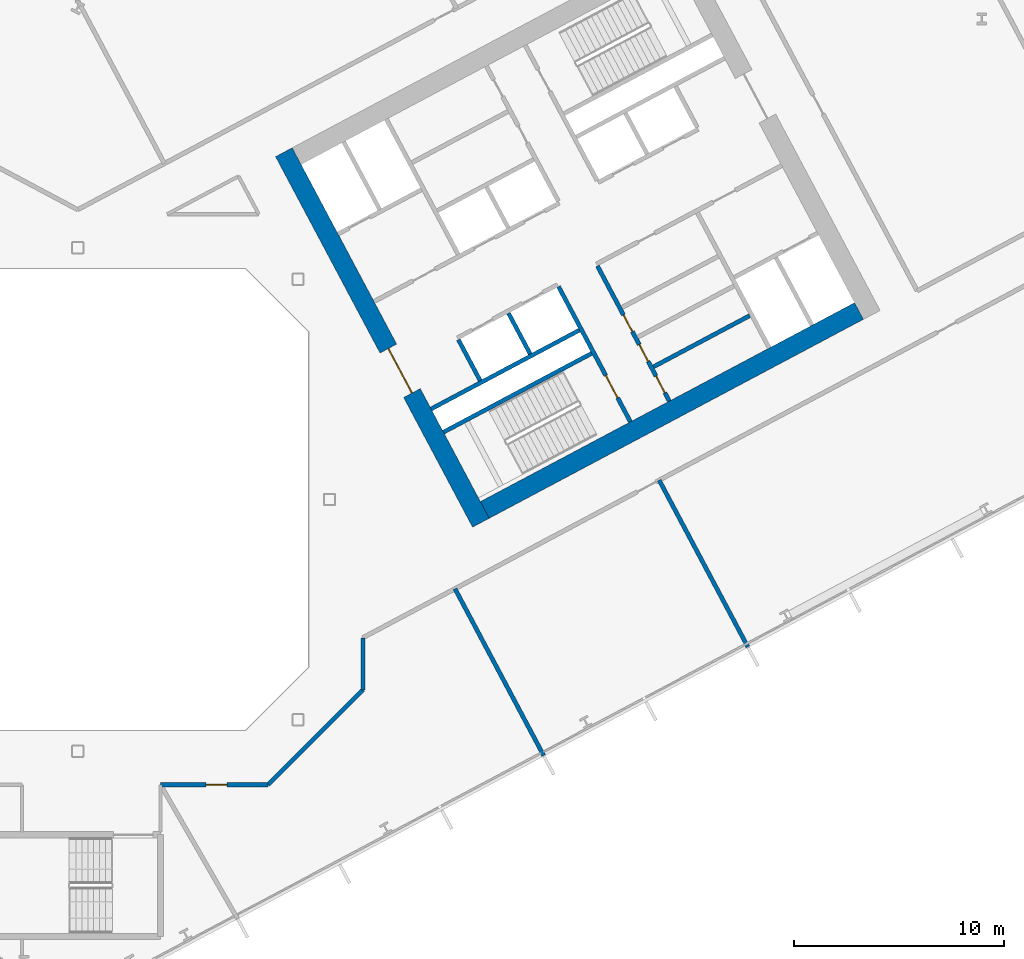
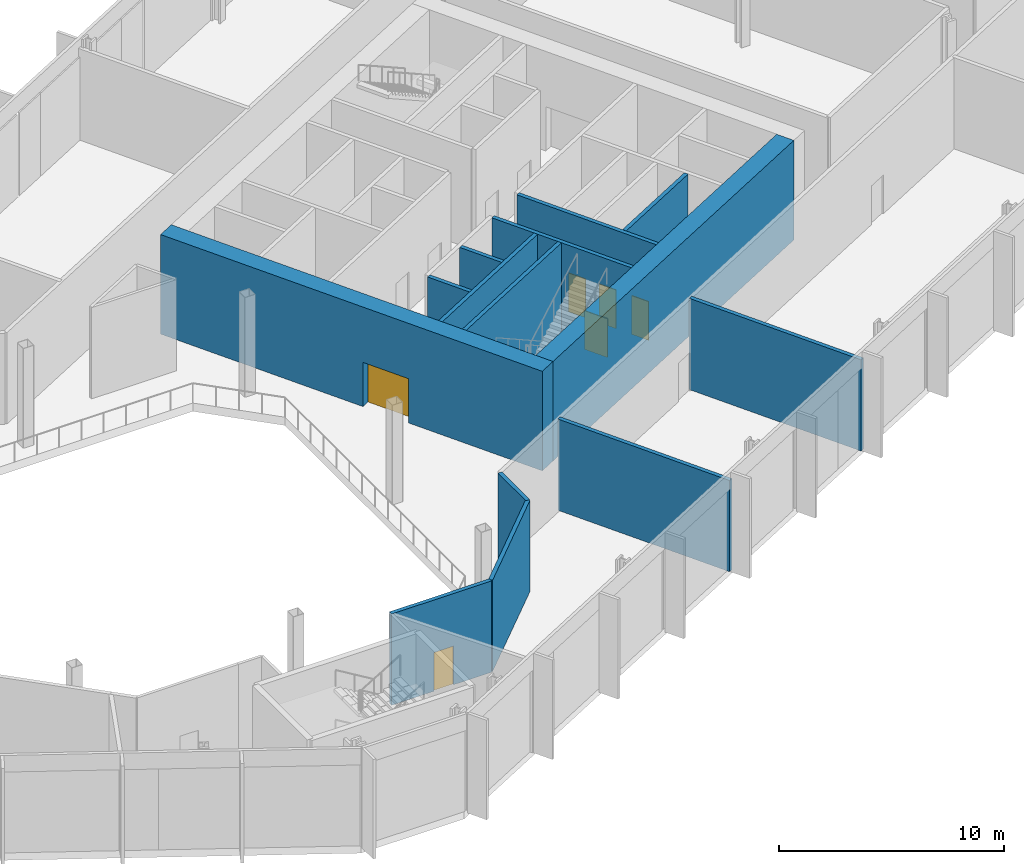
# One storey, part 15 of 31: 14 walls, 6 doors, 6 openings.
"""IFC4 building model written with IfcOpenShell, lengths in metres."""

from ifc_helpers import new_model, si_unit, direction, frame, frame_2d, origin, place, context, subcontext, project, spatial, rectangle, extrude, material, layer, layer_set, type_object, element, fill, save


model = new_model("IFC4")

# Units and contexts
model_context = context("Model", 3, precision=1e-05, world=origin(), true_north=direction((0.0, 1.0)))
body_context = subcontext(model_context, "Body", "Model", "MODEL_VIEW")
ifc_project = project(units=[si_unit("LENGTHUNIT", "METRE"), si_unit("AREAUNIT", "SQUARE_METRE"), si_unit("VOLUMEUNIT", "CUBIC_METRE"), si_unit("PLANEANGLEUNIT", "RADIAN"), si_unit("MASSUNIT", "GRAM", prefix="KILO")], contexts=[model_context])

# Site, building, storey
site_placement = place(None, origin())
site = spatial("IfcSite", under=ifc_project, at=site_placement, CompositionType="ELEMENT")
building_placement = place(site_placement, origin())
building = spatial("IfcBuilding", under=site, at=building_placement, Name="Cormorant Relay Tower", CompositionType="ELEMENT")
storey_placement = place(building_placement, frame((0.0, 0.0, 33.800048828125)))
storey = spatial("IfcBuildingStorey", under=building, at=storey_placement, Name="L06", CompositionType="ELEMENT", Elevation=33.800048828125)

# Walls
ifc_material_1 = material(Name="Concrete 40 MPa", Category="concrete")
ifc_layer_1 = layer(ifc_material_1, 0.199951171875)
ifc_layer_set_1 = layer_set([ifc_layer_1], Name="Core internal wall 200")
wall_type_1 = type_object("IfcWallType", Name="Core internal wall 200", PredefinedType="SOLIDWALL", material=ifc_layer_set_1)
wall_1_placement = place(storey_placement, frame((21.567626953125, 6.9375, 0.0), z_axis=(0.0, 0.0, 1.0), x_axis=(-0.469533832133, 0.882914480843, 0.0)))
element("IfcWall", 1, at=wall_1_placement, inside=storey, type_object=wall_type_1, Name="L06 core B shaft and room wall", PredefinedType="SOLIDWALL", context=body_context, shape_type="SweptSolid", body=[
    extrude(rectangle(XDim=2.199951171875, YDim=0.199951171875, at=frame_2d((1.10009765625, 0.0))), origin(), (0.0, 0.0, 1.0), 5.39990234375),
])
wall_2_placement = place(storey_placement, frame((27.443359375, 6.32421875, 0.0), z_axis=(0.0, 0.0, 1.0), x_axis=(0.882953967957, 0.469459572775, 0.0)))
element("IfcWall", 2, at=wall_2_placement, inside=storey, type_object=wall_type_1, Name="L06 core B shaft and room wall", PredefinedType="SOLIDWALL", context=body_context, shape_type="SweptSolid", body=[
    extrude(rectangle(XDim=5.199951171875, YDim=0.199951171875, at=frame_2d((2.60009765625, 0.0))), origin(), (0.0, 0.0, 1.0), 5.39990234375),
])
ifc_material_2 = material(Name="Concrete 50 MPa", Category="concrete")
ifc_layer_2 = layer(ifc_material_2, 0.199951171875)
ifc_layer_set_2 = layer_set([ifc_layer_2], Name="Core shaft wall 200")
wall_type_2 = type_object("IfcWallType", Name="Core shaft wall 200", PredefinedType="SHEAR", material=ifc_layer_set_2)
wall_3_placement = place(storey_placement, frame((19.18359375, 5.669921875, 0.0), z_axis=(0.0, 0.0, 1.0), x_axis=(-0.4694473164, 0.882960484464, 0.0)))
element("IfcWall", 3, at=wall_3_placement, inside=storey, type_object=wall_type_2, Name="L06 core B shaft wall", PredefinedType="SHEAR", context=body_context, shape_type="SweptSolid", body=[
    extrude(rectangle(XDim=2.199951171875, YDim=0.199951171875, at=frame_2d((1.10009765625, 0.0))), origin(), (0.0, 0.0, 1.0), 5.39990234375),
])

# Wall, opening, door
wall_4_placement = place(storey_placement, frame((26.345947265625, 3.701904296875, 0.0), z_axis=(0.0, 0.0, 1.0), x_axis=(-0.469480409012, 0.88294288918, 0.0)))
wall_4 = element("IfcWall", 4, at=wall_4_placement, inside=storey, type_object=wall_type_2, Name="L06 core B shaft wall", PredefinedType="SHEAR", context=body_context, shape_type="SweptSolid", body=[
    extrude(rectangle(XDim=7.300048828125, YDim=0.199951171875, at=frame_2d((3.64990234375, 0.0))), origin(), (0.0, 0.0, 1.0), 5.39990234375),
])
opening_1_placement = place(wall_4_placement, frame((1.300048828125, 0.0, 0.0)))
opening_1 = element("IfcOpeningElement", 5, at=opening_1_placement, cuts=wall_4, Name="Opening CDB-021", PredefinedType="OPENING", context=body_context, shape_type="SweptSolid", body=[
    extrude(rectangle(XDim=1.199951171875, YDim=2.10009765625, at=frame_2d((0.60009765625, 1.050048828125))), frame((0.0, 0.10986328125, 0.0), z_axis=(0.0, -1.0, 0.0), x_axis=(1.0, 0.0, 0.0)), (0.0, 0.0, 1.0), 0.219970703125),
])
ifc_material_3 = material(Name="Steel fire door", Category="steel")
door_type_1 = type_object("IfcDoorType", Name="Core stair door 1200x2100", OperationType="SINGLE_SWING_LEFT", PredefinedType="DOOR", material=ifc_material_3)
door_1_placement = place(opening_1_placement, origin())
door_1 = element("IfcDoor", 6, at=door_1_placement, inside=storey, type_object=door_type_1, Name="Core stair door 1200x2100", OperationType="SINGLE_SWING_RIGHT", OverallHeight=2.10009765625, OverallWidth=1.199951171875, PredefinedType="DOOR", context=body_context, shape_type="SweptSolid", body=[
    extrude(rectangle(XDim=1.199951171875, YDim=2.10009765625, at=frame_2d((0.60009765625, 1.050048828125))), frame((0.0, 0.02490234375, 0.0), z_axis=(0.0, -1.0, 0.0), x_axis=(1.0, 0.0, 0.0)), (0.0, 0.0, 1.0), 0.050048828125),
])
fill(opening_1, door_1)

# Wall, openings, doors
wall_5_placement = place(storey_placement, frame((28.199951171875, 4.687744140625, 0.0), z_axis=(0.0, 0.0, 1.0), x_axis=(-0.469454336211, 0.882956752176, 0.0)))
wall_5 = element("IfcWall", 7, at=wall_5_placement, inside=storey, type_object=wall_type_2, Name="L06 core B shaft wall", PredefinedType="SHEAR", context=body_context, shape_type="SweptSolid", body=[
    extrude(rectangle(XDim=7.300048828125, YDim=0.199951171875, at=frame_2d((3.64990234375, 0.0))), origin(), (0.0, 0.0, 1.0), 5.39990234375),
])
opening_2_placement = place(wall_5_placement, frame((0.449951171875, 0.0, 0.0)))
opening_2 = element("IfcOpeningElement", 8, at=opening_2_placement, cuts=wall_5, Name="Opening CDD-092", PredefinedType="OPENING", context=body_context, shape_type="SweptSolid", body=[
    extrude(rectangle(XDim=0.89990234375, YDim=2.10009765625, at=frame_2d((0.449951171875, 1.050048828125))), frame((0.0, 0.10986328125, 0.0), z_axis=(0.0, -1.0, 0.0), x_axis=(1.0, 0.0, 0.0)), (0.0, 0.0, 1.0), 0.219970703125),
])
opening_3_placement = place(wall_5_placement, frame((2.14990234375, 0.0, 0.0)))
opening_3 = element("IfcOpeningElement", 9, at=opening_3_placement, cuts=wall_5, Name="Opening CDD-093", PredefinedType="OPENING", context=body_context, shape_type="SweptSolid", body=[
    extrude(rectangle(XDim=0.89990234375, YDim=2.10009765625, at=frame_2d((0.449951171875, 1.050048828125))), frame((0.0, 0.10986328125, 0.0), z_axis=(0.0, -1.0, 0.0), x_axis=(1.0, 0.0, 0.0)), (0.0, 0.0, 1.0), 0.219970703125),
])
opening_4_placement = place(wall_5_placement, frame((3.75, 0.0, 0.0)))
opening_4 = element("IfcOpeningElement", 10, at=opening_4_placement, cuts=wall_5, Name="Opening CDD-094", PredefinedType="OPENING", context=body_context, shape_type="SweptSolid", body=[
    extrude(rectangle(XDim=0.89990234375, YDim=2.10009765625, at=frame_2d((0.449951171875, 1.050048828125))), frame((0.0, 0.10986328125, 0.0), z_axis=(0.0, -1.0, 0.0), x_axis=(1.0, 0.0, 0.0)), (0.0, 0.0, 1.0), 0.219970703125),
])
ifc_material_4 = material(Name="Steel fire door", Category="steel")
door_type_2 = type_object("IfcDoorType", Name="Core room door 900x2100", OperationType="SINGLE_SWING_LEFT", PredefinedType="DOOR", material=ifc_material_4)
door_2_placement = place(opening_2_placement, frame((0.89990234375, 0.0, 0.0), z_axis=(0.0, 0.0, 1.0), x_axis=(-1.0, 0.0, 0.0)))
door_2 = element("IfcDoor", 11, at=door_2_placement, inside=storey, type_object=door_type_2, Name="Core room door 900x2100", OperationType="SINGLE_SWING_LEFT", OverallHeight=2.10009765625, OverallWidth=0.89990234375, PredefinedType="DOOR", context=body_context, shape_type="SweptSolid", body=[
    extrude(rectangle(XDim=0.89990234375, YDim=2.10009765625, at=frame_2d((0.449951171875, 1.050048828125))), frame((0.0, 0.02490234375, 0.0), z_axis=(0.0, -1.0, 0.0), x_axis=(1.0, 0.0, 0.0)), (0.0, 0.0, 1.0), 0.050048828125),
])
fill(opening_2, door_2)
door_3_placement = place(opening_3_placement, frame((0.89990234375, 0.0, 0.0), z_axis=(0.0, 0.0, 1.0), x_axis=(-1.0, 0.0, 0.0)))
door_3 = element("IfcDoor", 12, at=door_3_placement, inside=storey, type_object=door_type_2, Name="Core room door 900x2100", OperationType="SINGLE_SWING_LEFT", OverallHeight=2.10009765625, OverallWidth=0.89990234375, PredefinedType="DOOR", context=body_context, shape_type="SweptSolid", body=[
    extrude(rectangle(XDim=0.89990234375, YDim=2.10009765625, at=frame_2d((0.449951171875, 1.050048828125))), frame((0.0, 0.02490234375, 0.0), z_axis=(0.0, -1.0, 0.0), x_axis=(1.0, 0.0, 0.0)), (0.0, 0.0, 1.0), 0.050048828125),
])
fill(opening_3, door_3)
door_4_placement = place(opening_4_placement, frame((0.89990234375, 0.0, 0.0), z_axis=(0.0, 0.0, 1.0), x_axis=(-1.0, 0.0, 0.0)))
door_4 = element("IfcDoor", 13, at=door_4_placement, inside=storey, type_object=door_type_2, Name="Core room door 900x2100", OperationType="SINGLE_SWING_LEFT", OverallHeight=2.10009765625, OverallWidth=0.89990234375, PredefinedType="DOOR", context=body_context, shape_type="SweptSolid", body=[
    extrude(rectangle(XDim=0.89990234375, YDim=2.10009765625, at=frame_2d((0.449951171875, 1.050048828125))), frame((0.0, 0.02490234375, 0.0), z_axis=(0.0, -1.0, 0.0), x_axis=(1.0, 0.0, 0.0)), (0.0, 0.0, 1.0), 0.050048828125),
])
fill(opening_4, door_4)

# Walls
for number, where, z_axis, x_axis, name in (
    (14, (17.43359375, 3.210205078125, 0.0), (0.0, 0.0, 1.0), (0.882940221191, 0.469485426614, 0.0), "L06 core B shaft wall"),
    (15, (16.8466796875, 4.31396484375, 0.0), (0.0, 0.0, 1.0), (0.882940221191, 0.469485426614, 0.0), "L06 core B shaft wall"),
):
    element("IfcWall", number, at=place(storey_placement, frame(where, z_axis=z_axis, x_axis=x_axis)), inside=storey, type_object=wall_type_2, Name=name, PredefinedType="SHEAR", context=body_context, shape_type="SweptSolid", body=[
        extrude(rectangle(XDim=8.0, YDim=0.199951171875, at=frame_2d((4.0, 0.0))), origin(), (0.0, 0.0, 1.0), 5.39990234375),
    ])

# Wall, opening, door
ifc_material_5 = material(Name="Concrete 70 MPa", Category="concrete")
ifc_layer_3 = layer(ifc_material_5, 0.89990234375)
ifc_layer_set_3 = layer_set([ifc_layer_3], Name="Core wall 900")
wall_type_3 = type_object("IfcWallType", Name="Core wall 900", PredefinedType="SHEAR", material=ifc_layer_set_3)
wall_6_placement = place(storey_placement, frame((19.21923828125, -1.106689453125, 0.0), z_axis=(0.0, 0.0, 1.0), x_axis=(-0.46947084998, 0.882947971864, 0.0)))
wall_6 = element("IfcWall", 16, at=wall_6_placement, inside=storey, type_object=wall_type_3, Name="L06 core B wall", PredefinedType="SHEAR", context=body_context, shape_type="SweptSolid", body=[
    extrude(rectangle(XDim=20.0, YDim=0.89990234375, at=frame_2d((10.0, 0.0))), origin(), (0.0, 0.0, 1.0), 5.39990234375),
])
opening_5_placement = place(wall_6_placement, frame((7.0, 0.0, 0.0)))
opening_5 = element("IfcOpeningElement", 17, at=opening_5_placement, cuts=wall_6, Name="Opening CDA-015", PredefinedType="OPENING", context=body_context, shape_type="SweptSolid", body=[
    extrude(rectangle(XDim=2.39990234375, YDim=2.39990234375, at=frame_2d((1.199951171875, 1.199951171875))), frame((0.0, 0.4599609375, 0.0), z_axis=(0.0, -1.0, 0.0), x_axis=(1.0, 0.0, 0.0)), (0.0, 0.0, 1.0), 0.919921875),
])
ifc_material_6 = material(Name="Steel fire door", Category="steel")
door_type_3 = type_object("IfcDoorType", Name="Core lobby door 2400x2400", OperationType="DOUBLE_DOOR_SINGLE_SWING", PredefinedType="DOOR", material=ifc_material_6)
door_5_placement = place(opening_5_placement, frame((2.39990234375, 0.0, 0.0), z_axis=(0.0, 0.0, 1.0), x_axis=(-1.0, 0.0, 0.0)))
door_5 = element("IfcDoor", 18, at=door_5_placement, inside=storey, type_object=door_type_3, Name="Core lobby door 2400x2400", OperationType="DOUBLE_DOOR_SINGLE_SWING", OverallHeight=2.39990234375, OverallWidth=2.39990234375, PredefinedType="DOOR", context=body_context, shape_type="SweptSolid", body=[
    extrude(rectangle(XDim=2.39990234375, YDim=2.39990234375, at=frame_2d((1.199951171875, 1.199951171875))), frame((0.0, 0.02490234375, 0.0), z_axis=(0.0, -1.0, 0.0), x_axis=(1.0, 0.0, 0.0)), (0.0, 0.0, 1.0), 0.050048828125),
])
fill(opening_5, door_5)

# Walls
wall_7_placement = place(storey_placement, frame((19.4052734375, -0.498046875, 0.0), z_axis=(0.0, 0.0, 1.0), x_axis=(0.88294509198, 0.469476266226, 0.0)))
element("IfcWall", 19, at=wall_7_placement, inside=storey, type_object=wall_type_3, Name="L06 core B wall", PredefinedType="SHEAR", context=body_context, shape_type="SweptSolid", body=[
    extrude(rectangle(XDim=20.199951171875, YDim=0.89990234375, at=frame_2d((10.10009765625, 0.0))), origin(), (0.0, 0.0, 1.0), 5.39990234375),
])
ifc_material_7 = material(Name="Fire-rated gypsum board partition")
ifc_layer_4 = layer(ifc_material_7, 0.199951171875)
ifc_layer_set_4 = layer_set([ifc_layer_4], Name="Fire-rated gypsum partition 200")
wall_type_4 = type_object("IfcWallType", Name="Fire-rated gypsum partition 200", PredefinedType="PARTITIONING", material=ifc_layer_set_4)
wall_8_placement = place(storey_placement, frame((13.597900390625, -6.60205078125, 0.0), z_axis=(0.0, 0.0, 1.0), x_axis=(0.0, -1.0, 0.0)))
element("IfcWall", 20, at=wall_8_placement, inside=storey, type_object=wall_type_4, Name="wall/L06/part/28", PredefinedType="PARTITIONING", context=body_context, shape_type="SweptSolid", body=[
    extrude(rectangle(XDim=2.473876953125, YDim=0.199951171875, at=frame_2d((1.23681640625, 0.0))), origin(), (0.0, 0.0, 1.0), 4.949951171875),
])
wall_9_placement = place(storey_placement, frame((13.597900390625, -9.075927734375, 0.0), z_axis=(0.0, 0.0, 1.0), x_axis=(-0.707106781187, -0.707106781187, 0.0)))
element("IfcWall", 21, at=wall_9_placement, inside=storey, type_object=wall_type_4, Name="wall/L06/part/29", PredefinedType="PARTITIONING", context=body_context, shape_type="SweptSolid", body=[
    extrude(rectangle(XDim=6.39501953125, YDim=0.199951171875, at=frame_2d((3.197509765625, 0.0))), origin(), (0.0, 0.0, 1.0), 4.949951171875),
])

# Wall, opening, door
wall_10_placement = place(storey_placement, frame((9.075927734375, -13.597900390625, 0.0), z_axis=(0.0, 0.0, 1.0), x_axis=(-1.0, 0.0, 0.0)))
wall_10 = element("IfcWall", 22, at=wall_10_placement, inside=storey, type_object=wall_type_4, Name="wall/L06/part/30", PredefinedType="PARTITIONING", context=body_context, shape_type="SweptSolid", body=[
    extrude(rectangle(XDim=5.1259765625, YDim=0.199951171875, at=frame_2d((2.56298828125, 0.0))), origin(), (0.0, 0.0, 1.0), 4.949951171875),
])
opening_6_placement = place(wall_10_placement, frame((1.949951171875, 0.0, 0.0)))
opening_6 = element("IfcOpeningElement", 23, at=opening_6_placement, cuts=wall_10, Name="Opening FD1-029", PredefinedType="OPENING", context=body_context, shape_type="SweptSolid", body=[
    extrude(rectangle(XDim=1.0, YDim=2.10009765625, at=frame_2d((0.5, 1.050048828125))), frame((0.0, 0.10986328125, 0.0), z_axis=(0.0, -1.0, 0.0), x_axis=(1.0, 0.0, 0.0)), (0.0, 0.0, 1.0), 0.219970703125),
])
ifc_material_8 = material(Name="Fire-rated steel door", Category="steel")
door_type_4 = type_object("IfcDoorType", Name="Fire door 1000 x 2100", OperationType="SINGLE_SWING_LEFT", PredefinedType="DOOR", material=ifc_material_8)
door_6_placement = place(opening_6_placement, origin())
door_6 = element("IfcDoor", 24, at=door_6_placement, inside=storey, type_object=door_type_4, Name="door/L06/10", OperationType="SINGLE_SWING_RIGHT", OverallHeight=2.10009765625, OverallWidth=1.0, PredefinedType="DOOR", context=body_context, shape_type="SweptSolid", body=[
    extrude(rectangle(XDim=1.0, YDim=2.10009765625, at=frame_2d((0.5, 1.050048828125))), frame((0.0, 0.02490234375, 0.0), z_axis=(0.0, -1.0, 0.0), x_axis=(1.0, 0.0, 0.0)), (0.0, 0.0, 1.0), 0.050048828125),
])
fill(opening_6, door_6)

# Walls
wall_11_placement = place(storey_placement, frame((17.98291015625, -4.2529296875, 0.0), z_axis=(0.0, 0.0, 1.0), x_axis=(0.469430813661, -0.882969258347, 0.0)))
element("IfcWall", 25, at=wall_11_placement, inside=storey, type_object=wall_type_4, Name="wall/L06/part/32", PredefinedType="PARTITIONING", context=body_context, shape_type="SweptSolid", body=[
    extrude(rectangle(XDim=9.00244140625, YDim=0.199951171875, at=frame_2d((4.501220703125, 0.0))), origin(), (0.0, 0.0, 1.0), 4.949951171875),
])
wall_12_placement = place(storey_placement, frame((27.716064453125, 0.922119140625, 0.0), z_axis=(0.0, 0.0, 1.0), x_axis=(0.469560348869, -0.882900378735, 0.0)))
element("IfcWall", 26, at=wall_12_placement, inside=storey, type_object=wall_type_4, Name="wall/L06/part/35", PredefinedType="PARTITIONING", context=body_context, shape_type="SweptSolid", body=[
    extrude(rectangle(XDim=9.002197265625, YDim=0.199951171875, at=frame_2d((4.5009765625, 0.0))), origin(), (0.0, 0.0, 1.0), 4.949951171875),
])

save(model, "model.ifc")
